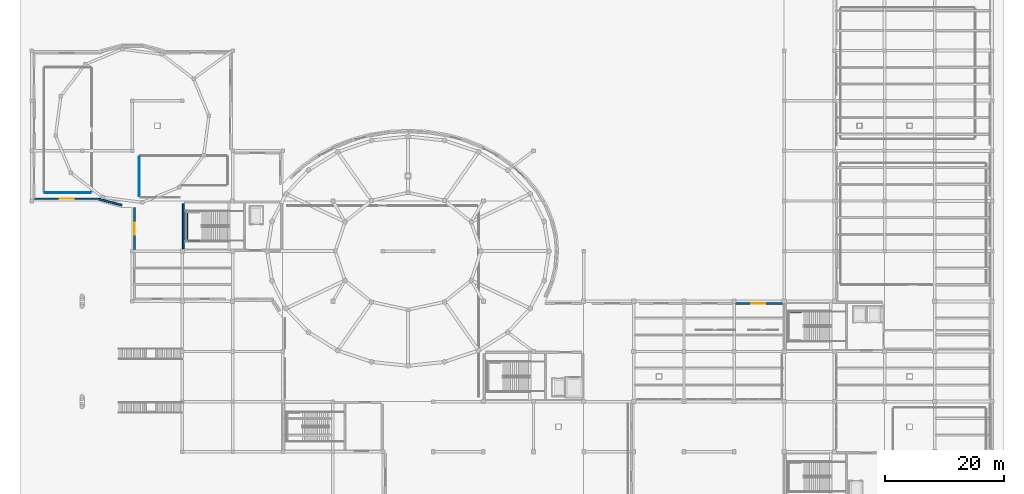
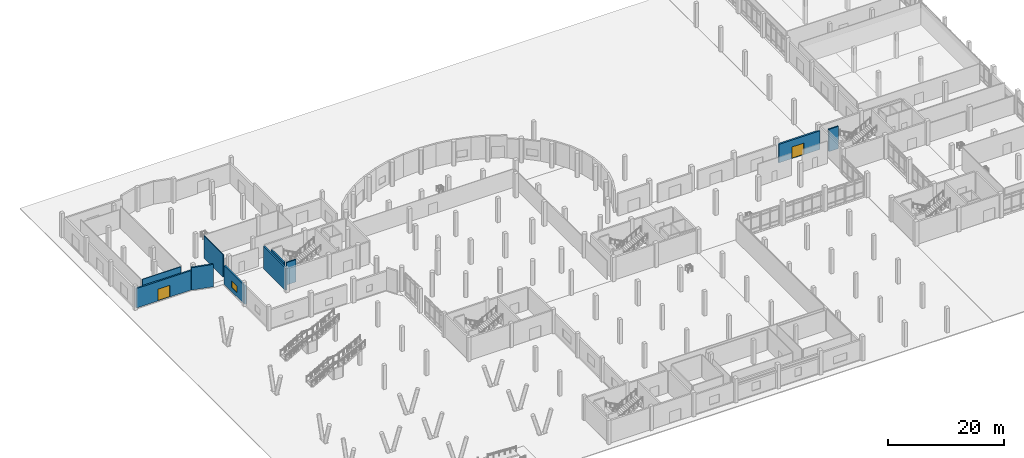
# One storey, part 47 of 64: 10 walls, 2 doors, 1 window, 3 openings.
"""IFC4 building model written with IfcOpenShell, lengths in metres."""

from ifc_helpers import new_model, si_unit, derived_unit, direction, frame, frame_2d, origin, place, context, subcontext, project, spatial, rectangle, extrude, material, layer, layer_set, type_object, element, fill, save


model = new_model("IFC4")

# Units and contexts
model_context = context("Model", 3, precision=1e-05, world=origin(), true_north=direction((0.0, 1.0)))
body_context = subcontext(model_context, "Body", "Model", "MODEL_VIEW")
ifc_project = project(units=[si_unit("LENGTHUNIT", "METRE"), si_unit("AREAUNIT", "SQUARE_METRE"), si_unit("VOLUMEUNIT", "CUBIC_METRE"), si_unit("PLANEANGLEUNIT", "RADIAN"), si_unit("MASSUNIT", "GRAM", prefix="KILO"), derived_unit("THERMALTRANSMITTANCEUNIT", [(si_unit("POWERUNIT", "WATT"), 1), (si_unit("LENGTHUNIT", "METRE"), -2), (si_unit("THERMODYNAMICTEMPERATUREUNIT", "KELVIN"), -1)])], contexts=[model_context])

# Site, building, storey
site_placement = place(None, origin())
site = spatial("IfcSite", under=ifc_project, at=site_placement, CompositionType="ELEMENT")
building_placement = place(site_placement, origin())
building = spatial("IfcBuilding", under=site, at=building_placement, Name="Elbkamm Science Centre", CompositionType="ELEMENT")
storey_placement = place(building_placement, origin())
storey = spatial("IfcBuildingStorey", under=building, at=storey_placement, Name="L00", CompositionType="ELEMENT", Elevation=0.0)

# Walls
ifc_material_1 = material(Name="Reinforced concrete C40/50", Category="concrete")
ifc_layer_1 = layer(ifc_material_1, 0.25)
ifc_layer_set_1 = layer_set([ifc_layer_1], Name="Reinforced concrete C40/50")
wall_type_1 = type_object("IfcWallType", Name="WL-CORE-250", PredefinedType="SHEAR", material=ifc_layer_set_1)
wall_1_placement = place(storey_placement, frame((25.93994140625, 69.219970703125, 0.0), z_axis=(0.0, 0.0, 1.0), x_axis=(0.0, 1.0, 0.0)))
element("IfcWall", 1, at=wall_1_placement, inside=storey, type_object=wall_type_1, Name="L00 ST-C1 Shaft Bearing Wall W", PredefinedType="SHEAR", context=body_context, shape_type="SweptSolid", body=[
    extrude(rectangle(XDim=4.360107421875, YDim=0.25, at=frame_2d((2.18017578125, 0.0))), origin(), (0.0, 0.0, 1.0), 4.699951171875),
])
wall_2_placement = place(storey_placement, frame((26.18994140625, 69.02001953125, 0.0), z_axis=(0.0, 0.0, 1.0), x_axis=(1.0, 0.0, 0.0)))
element("IfcWall", 2, at=wall_2_placement, inside=storey, type_object=wall_type_1, Name="L00 ST-C1 Shaft Bearing Wall S", PredefinedType="SHEAR", context=body_context, shape_type="SweptSolid", body=[
    extrude(rectangle(XDim=1.89013671875, YDim=0.25, at=frame_2d((0.945068359375, 0.0))), origin(), (0.0, 0.0, 1.0), 4.699951171875),
])
wall_3_placement = place(storey_placement, frame((126.989990234375, 56.97998046875, 0.0), z_axis=(0.0, 0.0, 1.0), x_axis=(1.0, 0.0, 0.0)))
element("IfcWall", 3, at=wall_3_placement, inside=storey, type_object=wall_type_1, Name="L00 ST-C3 Shaft Bearing Wall N", PredefinedType="SHEAR", context=body_context, shape_type="SweptSolid", body=[
    extrude(rectangle(XDim=1.889892578125, YDim=0.25, at=frame_2d((0.94482421875, 0.0))), origin(), (0.0, 0.0, 1.0), 4.699951171875),
])
ifc_layer_2 = layer(ifc_material_1, 0.300048828125)
ifc_layer_set_2 = layer_set([ifc_layer_2], Name="Reinforced concrete C40/50")
wall_type_2 = type_object("IfcWallType", Name="WL-CORE-300", PredefinedType="SHEAR", material=ifc_layer_set_2)
wall_4_placement = place(storey_placement, frame((25.35009765625, 67.6201171875, 0.0), z_axis=(0.0, 0.0, 1.0), x_axis=(0.0, 1.0, 0.0)))
element("IfcWall", 4, at=wall_4_placement, inside=storey, type_object=wall_type_2, Name="L00 Core C1 Northwest Planetarium and Exhibition Core Shear Wall W", PredefinedType="SHEAR", context=body_context, shape_type="SweptSolid", body=[
    extrude(rectangle(XDim=7.559814453125, YDim=0.300048828125, at=frame_2d((3.77978515625, 0.0))), origin(), (0.0, 0.0, 1.0), 4.699951171875),
])

# Wall, opening, door
ifc_material_2 = material(Name="White precast concrete C40/50", Category="concrete")
ifc_layer_3 = layer(ifc_material_2, 0.31005859375)
ifc_layer_set_3 = layer_set([ifc_layer_3], Name="White precast concrete C40/50")
wall_type_3 = type_object("IfcWallType", Name="WL-EXT-310", PredefinedType="SOLIDWALL", material=ifc_layer_set_3)
wall_5_placement = place(storey_placement, frame((11.529052734375, 75.97998046875, 0.0), z_axis=(0.0, 0.0, 1.0), x_axis=(-1.0, 0.0, 0.0)))
wall_5 = element("IfcWall", 5, at=wall_5_placement, inside=storey, type_object=wall_type_3, Name="L00 Exterior Wall 0097", PredefinedType="SOLIDWALL", context=body_context, shape_type="SweptSolid", body=[
    extrude(rectangle(XDim=11.149169921875, YDim=0.31005859375, at=frame_2d((5.57470703125, 0.0))), origin(), (0.0, 0.0, 1.0), 4.080078125),
])
opening_1_placement = place(wall_5_placement, frame((4.509033203125, 0.0, 0.0)))
opening_1 = element("IfcOpeningElement", 6, at=opening_1_placement, cuts=wall_5, Name="Opening EX-01", PredefinedType="OPENING", context=body_context, shape_type="SweptSolid", body=[
    extrude(rectangle(XDim=2.39990234375, YDim=2.449951171875, at=frame_2d((1.199951171875, 1.22509765625))), frame((0.0, 0.1669921875, 0.0), z_axis=(0.0, -1.0, 0.0), x_axis=(1.0, 0.0, 0.0)), (0.0, 0.0, 1.0), 0.333984375),
])
ifc_material_3 = material(Name="Powder-coated aluminium and laminated glass", Category="aluminium")
ifc_layer_4 = layer(ifc_material_3, 0.050048828125)
ifc_layer_set_4 = layer_set([ifc_layer_4], Name="Powder-coated aluminium and laminated glass")
door_type = type_object("IfcDoorType", Name="DR-EXIT-2400x2450", OperationType="DOUBLE_DOOR_SINGLE_SWING", PredefinedType="DOOR", material=ifc_layer_set_4)
door_1_placement = place(opening_1_placement, origin())
door_1 = element("IfcDoor", 7, at=door_1_placement, inside=storey, type_object=door_type, Name="Final Exit Pedestrian Door EX-01", OperationType="DOUBLE_DOOR_SINGLE_SWING", OverallHeight=2.449951171875, OverallWidth=2.39990234375, PredefinedType="DOOR", context=body_context, shape_type="SweptSolid", body=[
    extrude(rectangle(XDim=2.39990234375, YDim=2.449951171875, at=frame_2d((1.199951171875, 1.22509765625))), frame((0.0, 0.02490234375, 0.0), z_axis=(0.0, -1.0, 0.0), x_axis=(1.0, 0.0, 0.0)), (0.0, 0.0, 1.0), 0.050048828125),
])
fill(opening_1, door_1)

# Wall
wall_6_placement = place(storey_placement, frame((15.048583984375, 74.898193359375, 0.0), z_axis=(0.0, 0.0, 1.0), x_axis=(-0.965931899709, 0.258796377728, 0.0)))
element("IfcWall", 8, at=wall_6_placement, inside=storey, type_object=wall_type_3, Name="L00 Exterior Wall 0161", PredefinedType="SOLIDWALL", context=body_context, shape_type="SweptSolid", body=[
    extrude(rectangle(XDim=3.9130859375, YDim=0.31005859375, at=frame_2d((1.95654296875, 0.0))), origin(), (0.0, 0.0, 1.0), 4.699951171875),
])

# Wall, opening, door
ifc_layer_5 = layer(ifc_material_2, 0.340087890625)
ifc_layer_set_5 = layer_set([ifc_layer_5], Name="White precast concrete C40/50")
wall_type_4 = type_object("IfcWallType", Name="WL-EXT-340", PredefinedType="SOLIDWALL", material=ifc_layer_set_5)
wall_7_placement = place(storey_placement, frame((117.839111328125, 58.419921875, 0.0), z_axis=(0.0, 0.0, 1.0), x_axis=(1.0, 0.0, 0.0)))
wall_7 = element("IfcWall", 9, at=wall_7_placement, inside=storey, type_object=wall_type_4, Name="L00 Exterior Wall 0136", PredefinedType="SOLIDWALL", context=body_context, shape_type="SweptSolid", body=[
    extrude(rectangle(XDim=8.17578125, YDim=0.340087890625, at=frame_2d((4.087890625, 0.0))), origin(), (0.0, 0.0, 1.0), 3.89990234375),
])
opening_2_placement = place(wall_7_placement, frame((2.60546875, 0.0, 0.0)))
opening_2 = element("IfcOpeningElement", 10, at=opening_2_placement, cuts=wall_7, Name="Opening EX-17", PredefinedType="OPENING", context=body_context, shape_type="SweptSolid", body=[
    extrude(rectangle(XDim=2.39990234375, YDim=2.449951171875, at=frame_2d((1.199951171875, 1.22509765625))), frame((0.0, 0.18212890625, 0.0), z_axis=(0.0, -1.0, 0.0), x_axis=(1.0, 0.0, 0.0)), (0.0, 0.0, 1.0), 0.364013671875),
])
door_2_placement = place(opening_2_placement, origin())
door_2 = element("IfcDoor", 11, at=door_2_placement, inside=storey, type_object=door_type, Name="Final Exit Pedestrian Door EX-17", OperationType="DOUBLE_DOOR_SINGLE_SWING", OverallHeight=2.449951171875, OverallWidth=2.39990234375, PredefinedType="DOOR", context=body_context, shape_type="SweptSolid", body=[
    extrude(rectangle(XDim=2.39990234375, YDim=2.449951171875, at=frame_2d((1.199951171875, 1.22509765625))), frame((0.0, 0.02490234375, 0.0), z_axis=(0.0, -1.0, 0.0), x_axis=(1.0, 0.0, 0.0)), (0.0, 0.0, 1.0), 0.050048828125),
])
fill(opening_2, door_2)

# Wall, opening, window
wall_8_placement = place(storey_placement, frame((17.179931640625, 67.439208984375, 0.0), z_axis=(0.0, 0.0, 1.0), x_axis=(0.0, 1.0, 0.0)))
wall_8 = element("IfcWall", 12, at=wall_8_placement, inside=storey, type_object=wall_type_4, Name="L00 Exterior Wall 0160", PredefinedType="SOLIDWALL", context=body_context, shape_type="SweptSolid", body=[
    extrude(rectangle(XDim=7.078857421875, YDim=0.340087890625, at=frame_2d((3.53955078125, 0.0))), origin(), (0.0, 0.0, 1.0), 3.89990234375),
])
opening_3_placement = place(wall_8_placement, frame((2.53955078125, 0.0, 0.85009765625)))
opening_3 = element("IfcOpeningElement", 13, at=opening_3_placement, cuts=wall_8, Name="Opening W-05", PredefinedType="OPENING", context=body_context, shape_type="SweptSolid", body=[
    extrude(rectangle(XDim=2.0, YDim=1.39990234375, at=frame_2d((1.0, 0.699951171875))), frame((0.0, 0.18212890625, 0.0), z_axis=(0.0, -1.0, 0.0), x_axis=(1.0, 0.0, 0.0)), (0.0, 0.0, 1.0), 0.364013671875),
])
ifc_material_4 = material(Name="Thermally broken aluminium and triple solar glass", Category="aluminium")
ifc_layer_6 = layer(ifc_material_4, 0.06005859375)
ifc_layer_set_6 = layer_set([ifc_layer_6], Name="Thermally broken aluminium and triple solar glass")
window_type = type_object("IfcWindowType", Name="WIN-2000x1400", PartitioningType="DOUBLE_PANEL_VERTICAL", PredefinedType="WINDOW", material=ifc_layer_set_6)
window_placement = place(opening_3_placement, origin())
window = element("IfcWindow", 14, at=window_placement, inside=storey, type_object=window_type, Name="L00 Facade Window 0024", OverallHeight=1.39990234375, OverallWidth=2.0, PartitioningType="SINGLE_PANEL", PredefinedType="WINDOW", context=body_context, shape_type="SweptSolid", body=[
    extrude(rectangle(XDim=2.0, YDim=1.39990234375, at=frame_2d((1.0, 0.699951171875))), frame((0.0, 0.030029296875, 0.0), z_axis=(0.0, -1.0, 0.0), x_axis=(1.0, 0.0, 0.0)), (0.0, 0.0, 1.0), 0.06005859375),
])
fill(opening_3, window)

# Walls
ifc_material_5 = material(Name="Acoustic metal-stud gypsum partition", Category="gypsum")
ifc_layer_7 = layer(ifc_material_5, 0.139892578125)
ifc_layer_set_7 = layer_set([ifc_layer_7], Name="Acoustic metal-stud gypsum partition")
wall_type_5 = type_object("IfcWallType", Name="WL-PART-140", PredefinedType="PARTITIONING", material=ifc_layer_set_7)
wall_9_placement = place(storey_placement, frame((9.820068359375, 77.0, 0.0), z_axis=(0.0, 0.0, 1.0), x_axis=(-1.0, 0.0, 0.0)))
element("IfcWall", 15, at=wall_9_placement, inside=storey, type_object=wall_type_5, Name="L00 Visitor Ticketing and Cloakroom Hall Partition 0057", PredefinedType="PARTITIONING", context=body_context, shape_type="SweptSolid", body=[
    extrude(rectangle(XDim=7.64013671875, YDim=0.139892578125, at=frame_2d((3.820068359375, 0.0))), origin(), (0.0, 0.0, 1.0), 4.699951171875),
])
ifc_layer_8 = layer(ifc_material_5, 0.159912109375)
ifc_layer_set_8 = layer_set([ifc_layer_8], Name="Acoustic metal-stud gypsum partition")
wall_type_6 = type_object("IfcWallType", Name="WL-PART-160", PredefinedType="PARTITIONING", material=ifc_layer_set_8)
wall_10_placement = place(storey_placement, frame((18.0, 76.3798828125, 0.0), z_axis=(0.0, 0.0, 1.0), x_axis=(0.0, 1.0, 0.0)))
element("IfcWall", 16, at=wall_10_placement, inside=storey, type_object=wall_type_6, Name="L00 Planetarium Pre-Show Foyer Partition 0040", PredefinedType="PARTITIONING", context=body_context, shape_type="SweptSolid", body=[
    extrude(rectangle(XDim=6.64013671875, YDim=0.159912109375, at=frame_2d((3.320068359375, 0.0))), origin(), (0.0, 0.0, 1.0), 4.699951171875),
])

save(model, "model.ifc")
